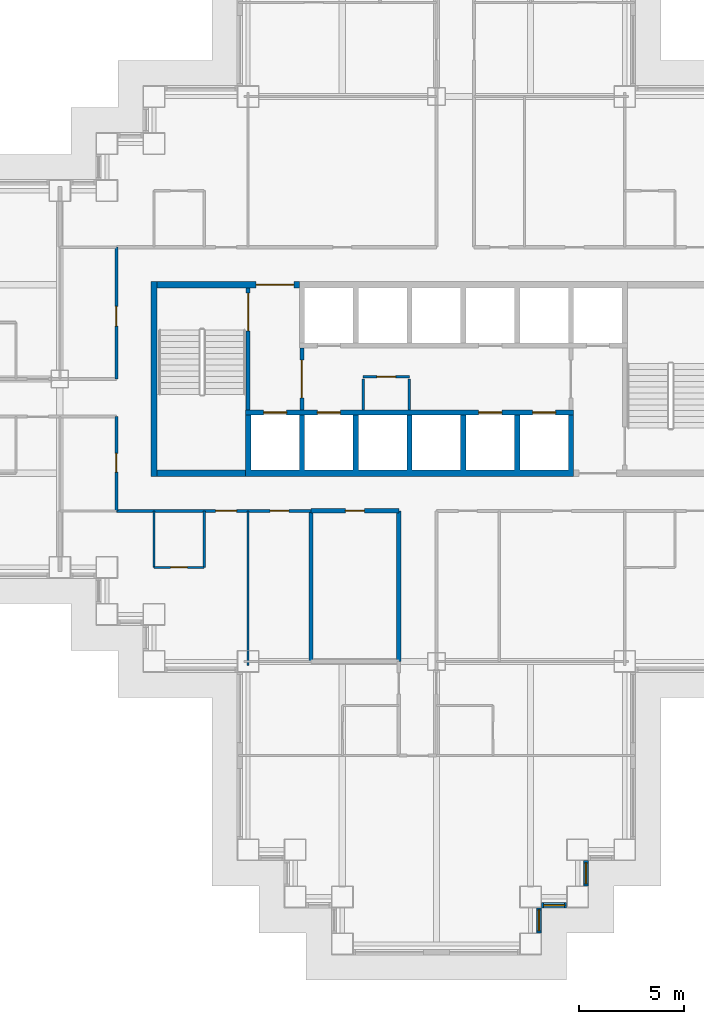
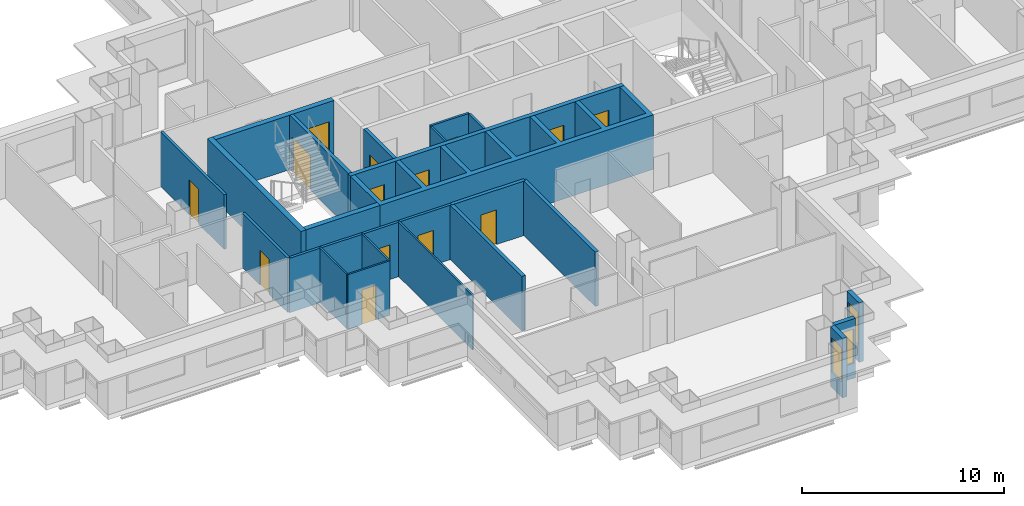
# One storey, part 4 of 14: 23 walls, 14 doors, 3 windows, 17 openings.
"""IFC4 building model written with IfcOpenShell, lengths in metres."""

import ifcopenshell
import ifcopenshell.guid

model = None  # the IFC model being written
_history = None  # IfcOwnerHistory: only IFC2X3 demands one
_inside = {}  # id of a spatial element -> (the spatial element, [elements in it])
_under = {}  # id of a project, library or spatial element -> (it, [spatial elements below it])
_declared = {}  # id of a project -> (the project, [libraries it declares])
_typed = {}  # id of a type object -> (the type object, [elements of that type])
_made_of = {}  # id of a material, layer set ... -> (it, [elements and type objects made of it])


def new_model(schema):
    """Start an empty IFC model of exactly this schema.

    Asked for "IFC4X3", IfcOpenShell would pick the latest addendum, in which some entities
    have other attributes; the version numbers below select the first issue.
    IFC2X3 requires an IfcOwnerHistory on every rooted entity: one is made here for all.
    """
    global model, _history
    if schema == "IFC4X3":
        model = ifcopenshell.file(schema_version=(4, 3, 0, 0))
    else:
        model = ifcopenshell.file(schema=schema)
    _inside.clear()
    _under.clear()
    _declared.clear()
    _typed.clear()
    _made_of.clear()
    _history = None
    if model.schema == "IFC2X3":
        org = make("IfcOrganization", Name="unknown")
        user = make(
            "IfcPersonAndOrganization",
            ThePerson=make("IfcPerson", FamilyName="unknown"),
            TheOrganization=org,
        )
        app = make(
            "IfcApplication",
            ApplicationDeveloper=org,
            Version="unknown",
            ApplicationFullName="unknown",
            ApplicationIdentifier="unknown",
        )
        _history = make(
            "IfcOwnerHistory",
            OwningUser=user,
            OwningApplication=app,
            ChangeAction="ADDED",
            CreationDate=0,
        )
    return model


def make(cls, **values):
    """One entity of the class cls with the attributes given. An attribute that is None is left unset."""
    return model.create_entity(
        cls, **{name: value for name, value in values.items() if value is not None}
    )


def rooted(cls, **values):
    """An entity with a GlobalId (a new one), such as an element, a storey or a relation."""
    return make(cls, GlobalId=ifcopenshell.guid.new(), OwnerHistory=_history, **values)


def si_unit(unit_type, name, prefix=None):
    """IfcSIUnit, for example si_unit("LENGTHUNIT", "METRE", prefix="MILLI")."""
    return make("IfcSIUnit", UnitType=unit_type, Prefix=prefix, Name=name)


def assignment(units):
    """IfcUnitAssignment: the units of a project."""
    return None if units is None else make("IfcUnitAssignment", Units=units)


def point(xyz):
    """IfcCartesianPoint."""
    return None if xyz is None else make("IfcCartesianPoint", Coordinates=xyz)


def direction(xyz):
    """IfcDirection."""
    return None if xyz is None else make("IfcDirection", DirectionRatios=xyz)


def frame(location, z_axis=None, x_axis=None):
    """IfcAxis2Placement3D, a coordinate frame: its origin and axes. An axis left out is left unset."""
    return make(
        "IfcAxis2Placement3D",
        Location=point(location),
        Axis=direction(z_axis),
        RefDirection=direction(x_axis),
    )


def frame_2d(location, x_axis=None):
    """IfcAxis2Placement2D, a coordinate frame in the plane: its origin and x axis."""
    return make(
        "IfcAxis2Placement2D", Location=point(location), RefDirection=direction(x_axis)
    )


def origin():
    """The frame at (0, 0, 0) with its axes left unset."""
    return frame((0.0, 0.0, 0.0))


def place(relative_to, where):
    """IfcLocalPlacement: puts the frame where relative to a parent placement (None: the world)."""
    return make(
        "IfcLocalPlacement", PlacementRelTo=relative_to, RelativePlacement=where
    )


def context(
    kind, dimensions, precision=None, world=None, true_north=None, identifier=None
):
    """IfcGeometricRepresentationContext, for example the 3D "Model" context."""
    return make(
        "IfcGeometricRepresentationContext",
        ContextIdentifier=identifier,
        ContextType=kind,
        CoordinateSpaceDimension=dimensions,
        Precision=precision,
        WorldCoordinateSystem=world,
        TrueNorth=true_north,
    )


def subcontext(parent, identifier, kind, view, scale=None):
    """IfcGeometricRepresentationSubContext, for example "Body" below "Model"."""
    return make(
        "IfcGeometricRepresentationSubContext",
        ContextIdentifier=identifier,
        ContextType=kind,
        ParentContext=parent,
        TargetScale=scale,
        TargetView=view,
    )


def project(units=None, contexts=None):
    """IfcProject with its units and contexts."""
    return rooted(
        "IfcProject",
        Name="project",
        RepresentationContexts=contexts,
        UnitsInContext=assignment(units),
    )


def spatial(cls, under=None, at=None, **own):
    """A site, building, storey or space (cls), placed at a placement, below another one or the project."""
    s = rooted(cls, ObjectPlacement=at, **own)
    if under is not None:
        _under.setdefault(under.id(), (under, []))[1].append(s)
    return s


def polyline(points):
    """IfcPolyline through the points."""
    return make("IfcPolyline", Points=[point(p) for p in points])


def profile(cls, at=None, kind="AREA", **sizes):
    """A parametric profile (cls). Its sizes go by their IFC names, for example OverallWidth=200.0."""
    return make(cls, ProfileType=kind, Position=at, **sizes)


def rectangle(**sizes):
    """IfcRectangleProfileDef."""
    return profile("IfcRectangleProfileDef", **sizes)


def outline(outer, holes=None, kind="AREA"):
    """IfcArbitraryClosedProfileDef: a profile drawn as a closed curve; with holes, ...WithVoids."""
    if holes is None:
        return make("IfcArbitraryClosedProfileDef", ProfileType=kind, OuterCurve=outer)
    return make(
        "IfcArbitraryProfileDefWithVoids",
        ProfileType=kind,
        OuterCurve=outer,
        InnerCurves=holes,
    )


def extrude(swept, where, along, depth):
    """IfcExtrudedAreaSolid: the profile swept, set in the frame where, extruded along a direction by depth."""
    return make(
        "IfcExtrudedAreaSolid",
        SweptArea=swept,
        Position=where,
        ExtrudedDirection=direction(along),
        Depth=depth,
    )


def shape(context_of_items, identifier, shape_type, items):
    """IfcShapeRepresentation: the items that make up one representation, for example the "Body"."""
    return make(
        "IfcShapeRepresentation",
        ContextOfItems=context_of_items,
        RepresentationIdentifier=identifier,
        RepresentationType=shape_type,
        Items=items,
    )


def material(Name=None, Category=None):
    """IfcMaterial."""
    return make("IfcMaterial", Name=Name, Category=Category)


def layer(
    of_material, thickness, ventilated=None, Name=None, Category=None, Priority=None
):
    """IfcMaterialLayer: one layer of a wall or slab, of a material (None: an air gap)."""
    return make(
        "IfcMaterialLayer",
        Material=of_material,
        LayerThickness=thickness,
        IsVentilated=ventilated,
        Name=Name,
        Category=Category,
        Priority=Priority,
    )


def layer_set(layers, Name=None):
    """IfcMaterialLayerSet."""
    return make("IfcMaterialLayerSet", MaterialLayers=layers, LayerSetName=Name)


def made_of(thing, what):
    """Note that an element or type object is made of a material, layer set ...; save() writes the relation."""
    if what is not None:
        _made_of.setdefault(what.id(), (what, []))[1].append(thing)
    return thing


def type_object(cls, material=None, **own):
    """A type object (cls), such as IfcWallType, which elements share."""
    return made_of(rooted(cls, **own), material)


def element(
    cls,
    number,
    at=None,
    inside=None,
    cuts=None,
    type_object=None,
    material=None,
    context=None,
    identifier="Body",
    shape_type=None,
    held_by="IfcProductDefinitionShape",
    body=None,
    shapes=None,
    **own,
):
    """One element of the class cls, such as IfcWall. Its Tag is "e" and its number.

    at: its placement. inside: the storey or other place that contains it. cuts: it is an
    opening in that element (IfcRelVoidsElement). A single representation is given by context,
    identifier, shape_type and body (its items); several are given by shapes. held_by: the class
    of the entity that holds the representations. save() writes the other relations.
    """
    e = rooted(cls, Tag="e%d" % number, ObjectPlacement=at, **own)
    if body is not None:
        shapes = [shape(context, identifier, shape_type, body)]
    if shapes is not None:
        e.Representation = make(held_by, Representations=shapes)
    if inside is not None:
        _inside.setdefault(inside.id(), (inside, []))[1].append(e)
    if cuts is not None:
        rooted(
            "IfcRelVoidsElement", RelatingBuildingElement=cuts, RelatedOpeningElement=e
        )
    if type_object is not None:
        _typed.setdefault(type_object.id(), (type_object, []))[1].append(e)
    return made_of(e, material)


def fill(opening, filler):
    """IfcRelFillsElement: the door or window that sits in an opening."""
    return rooted(
        "IfcRelFillsElement",
        RelatingOpeningElement=opening,
        RelatedBuildingElement=filler,
    )


def aggregate(whole, parts):
    """IfcRelAggregates: a whole, such as a stair, and the parts it consists of."""
    return rooted("IfcRelAggregates", RelatingObject=whole, RelatedObjects=parts)


def save(model, path):
    """Write the relations noted so far, then the file.

    IfcRelAggregates (storeys below a building ...), IfcRelContainedInSpatialStructure (elements
    in a storey), IfcRelDefinesByType, IfcRelAssociatesMaterial and IfcRelDeclares: one each for
    every whole, place, type object, material and project.
    """
    for whole, parts in _under.values():
        aggregate(whole, parts)
    for where, things in _inside.values():
        rooted(
            "IfcRelContainedInSpatialStructure",
            RelatedElements=things,
            RelatingStructure=where,
        )
    for kind, things in _typed.values():
        rooted("IfcRelDefinesByType", RelatedObjects=things, RelatingType=kind)
    for what, things in _made_of.values():
        rooted("IfcRelAssociatesMaterial", RelatedObjects=things, RelatingMaterial=what)
    for by, libraries in _declared.values():
        rooted("IfcRelDeclares", RelatingContext=by, RelatedDefinitions=libraries)
    model.write(path)


model = new_model("IFC4")

# Units and contexts
model_context = context("Model", 3, precision=1e-05, world=origin(), true_north=direction((0.0, 1.0)))
body_context = subcontext(model_context, "Body", "Model", "MODEL_VIEW")
ifc_project = project(units=[si_unit("LENGTHUNIT", "METRE"), si_unit("AREAUNIT", "SQUARE_METRE"), si_unit("VOLUMEUNIT", "CUBIC_METRE"), si_unit("PLANEANGLEUNIT", "RADIAN"), si_unit("MASSUNIT", "GRAM", prefix="KILO")], contexts=[model_context])

# Site, building, storey
site_placement = place(None, origin())
site = spatial("IfcSite", under=ifc_project, at=site_placement, CompositionType="ELEMENT")
building_placement = place(site_placement, origin())
building = spatial("IfcBuilding", under=site, at=building_placement, Name="Caravel Reach Hotel and Residences", CompositionType="ELEMENT")
storey_placement = place(building_placement, frame((0.0, 0.0, 37.199951171875)))
storey = spatial("IfcBuildingStorey", under=building, at=storey_placement, Name="L07", CompositionType="ELEMENT", Elevation=37.199951171875)

# Wall, opening, door
ifc_material_1 = material(Name="Gypsum board on steel stud", Category="steel")
ifc_layer_1 = layer(ifc_material_1, 0.10009765625)
ifc_layer_set_1 = layer_set([ifc_layer_1], Name="Bathroom pod wall 100 mm")
wall_type_1 = type_object("IfcWallType", Name="Bathroom pod wall 100 mm", PredefinedType="PARTITIONING", material=ifc_layer_set_1)
wall_1_placement = place(storey_placement, frame((18.0, 18.0, 0.0), z_axis=(0.0, 0.0, 1.0), x_axis=(1.0, 0.0, 0.0)))
wall_1 = element("IfcWall", 1, at=wall_1_placement, inside=storey, type_object=wall_type_1, Name="L07 wall w076", PredefinedType="PARTITIONING", context=body_context, shape_type="SweptSolid", body=[
    extrude(rectangle(XDim=2.39990234375, YDim=0.10009765625, at=frame_2d((1.199951171875, 0.0))), origin(), (0.0, 0.0, 1.0), 3.300048828125),
])
opening_1_placement = place(wall_1_placement, frame((0.800048828125, 0.0, 0.0)))
opening_1 = element("IfcOpeningElement", 2, at=opening_1_placement, cuts=wall_1, Name="Opening D07-046", PredefinedType="OPENING", context=body_context, shape_type="SweptSolid", body=[
    extrude(rectangle(XDim=0.800048828125, YDim=2.10009765625, at=frame_2d((0.39990234375, 1.050048828125))), frame((0.0, 0.06005859375, 0.0), z_axis=(0.0, -1.0, 0.0), x_axis=(1.0, 0.0, 0.0)), (0.0, 0.0, 1.0), 0.1201171875),
])
ifc_material_2 = material(Name="Timber and steel door leaf", Category="steel")
door_type_1 = type_object("IfcDoorType", Name="Bathroom door 800 x 2100", OperationType="SINGLE_SWING_LEFT", PredefinedType="DOOR", material=ifc_material_2)
door_1_placement = place(opening_1_placement, origin())
door_1 = element("IfcDoor", 3, at=door_1_placement, inside=storey, type_object=door_type_1, Name="door D07-046", OperationType="SINGLE_SWING_LEFT", OverallHeight=2.10009765625, OverallWidth=0.800048828125, PredefinedType="DOOR", context=body_context, shape_type="SweptSolid", body=[
    extrude(rectangle(XDim=0.800048828125, YDim=2.10009765625, at=frame_2d((0.39990234375, 1.050048828125))), frame((0.0, 0.02490234375, 0.0), z_axis=(0.0, -1.0, 0.0), x_axis=(1.0, 0.0, 0.0)), (0.0, 0.0, 1.0), 0.050048828125),
])
fill(opening_1, door_1)

# Walls
for number, where, z_axis, x_axis, name in (
    (4, (18.0, 18.0, 0.0), (0.0, 0.0, 1.0), (0.0, 1.0, 0.0), "L07 wall w092"),
    (5, (20.39990234375, 18.0, 0.0), (0.0, 0.0, 1.0), (0.0, 1.0, 0.0), "L07 wall w094"),
):
    element("IfcWall", number, at=place(storey_placement, frame(where, z_axis=z_axis, x_axis=x_axis)), inside=storey, type_object=wall_type_1, Name=name, PredefinedType="PARTITIONING", context=body_context, shape_type="SweptSolid", body=[
        extrude(rectangle(XDim=2.699951171875, YDim=0.10009765625, at=frame_2d((1.35009765625, 0.0))), origin(), (0.0, 0.0, 1.0), 3.300048828125),
    ])

# Wall, opening, door
ifc_material_3 = material(Name="Autoclaved aerated block wall")
ifc_layer_2 = layer(ifc_material_3, 0.199951171875)
ifc_layer_set_2 = layer_set([ifc_layer_2], Name="Compartment wall 200 mm EI 120")
wall_type_2 = type_object("IfcWallType", Name="Compartment wall 200 mm EI 120", PredefinedType="PARTITIONING", material=ifc_layer_set_2)
wall_2_placement = place(storey_placement, frame((25.5, 20.699951171875, 0.0), z_axis=(0.0, 0.0, 1.0), x_axis=(1.0, 0.0, 0.0)))
wall_2 = element("IfcWall", 6, at=wall_2_placement, inside=storey, type_object=wall_type_2, Name="L07 wall w106", PredefinedType="PARTITIONING", context=body_context, shape_type="SweptSolid", body=[
    extrude(rectangle(XDim=4.199951171875, YDim=0.199951171875, at=frame_2d((2.10009765625, 0.0))), origin(), (0.0, 0.0, 1.0), 3.300048828125),
])
opening_2_placement = place(wall_2_placement, frame((1.64990234375, 0.0, 0.0)))
opening_2 = element("IfcOpeningElement", 7, at=opening_2_placement, cuts=wall_2, Name="Opening D07-053", PredefinedType="OPENING", context=body_context, shape_type="SweptSolid", body=[
    extrude(rectangle(XDim=0.89990234375, YDim=2.10009765625, at=frame_2d((0.449951171875, 1.050048828125))), frame((0.0, 0.10986328125, 0.0), z_axis=(0.0, -1.0, 0.0), x_axis=(1.0, 0.0, 0.0)), (0.0, 0.0, 1.0), 0.219970703125),
])
ifc_material_4 = material(Name="Steel fire door leaf", Category="steel")
door_type_2 = type_object("IfcDoorType", Name="Riser door 900 x 2100 EI 60", OperationType="SINGLE_SWING_LEFT", PredefinedType="DOOR", material=ifc_material_4)
door_2_placement = place(opening_2_placement, origin())
door_2 = element("IfcDoor", 8, at=door_2_placement, inside=storey, type_object=door_type_2, Name="door D07-053", OperationType="SINGLE_SWING_LEFT", OverallHeight=2.10009765625, OverallWidth=0.89990234375, PredefinedType="DOOR", context=body_context, shape_type="SweptSolid", body=[
    extrude(rectangle(XDim=0.89990234375, YDim=2.10009765625, at=frame_2d((0.449951171875, 1.050048828125))), frame((0.0, 0.02490234375, 0.0), z_axis=(0.0, -1.0, 0.0), x_axis=(1.0, 0.0, 0.0)), (0.0, 0.0, 1.0), 0.050048828125),
])
fill(opening_2, door_2)

# Walls
for number, where, z_axis, x_axis, name in (
    (9, (25.5, 13.5, 0.0), (0.0, 0.0, 1.0), (0.0, 1.0, 0.0), "L07 wall w107"),
    (10, (29.699951171875, 13.5, 0.0), (0.0, 0.0, 1.0), (0.0, 1.0, 0.0), "L07 wall w108"),
):
    element("IfcWall", number, at=place(storey_placement, frame(where, z_axis=z_axis, x_axis=x_axis)), inside=storey, type_object=wall_type_2, Name=name, PredefinedType="PARTITIONING", context=body_context, shape_type="SweptSolid", body=[
        extrude(rectangle(XDim=7.199951171875, YDim=0.199951171875, at=frame_2d((3.60009765625, 0.0))), origin(), (0.0, 0.0, 1.0), 3.300048828125),
    ])
ifc_material_5 = material(Name="Concrete C60", Category="concrete")
ifc_layer_3 = layer(ifc_material_5, 0.300048828125)
ifc_layer_set_3 = layer_set([ifc_layer_3], Name="Core wall 300 mm EI 120")
wall_type_3 = type_object("IfcWallType", Name="Core wall 300 mm EI 120", PredefinedType="SHEAR", material=ifc_layer_set_3)
wall_3_placement = place(storey_placement, frame((18.14990234375, 22.5, 0.0), z_axis=(0.0, 0.0, 1.0), x_axis=(1.0, 0.0, 0.0)))
element("IfcWall", 11, at=wall_3_placement, inside=storey, type_object=wall_type_3, Name="L07 core wall S1", PredefinedType="SHEAR", context=body_context, shape_type="SweptSolid", body=[
    extrude(rectangle(XDim=4.22509765625, YDim=0.300048828125, at=frame_2d((2.112548828125, 0.0))), origin(), (0.0, 0.0, 1.0), 3.300048828125),
])

# Wall, opening, door
wall_4_placement = place(storey_placement, frame((18.14990234375, 31.5, 0.0), z_axis=(0.0, 0.0, 1.0), x_axis=(1.0, 0.0, 0.0)))
wall_4 = element("IfcWall", 12, at=wall_4_placement, inside=storey, type_object=wall_type_3, Name="L07 core wall N1", PredefinedType="SHEAR", context=body_context, shape_type="SweptSolid", body=[
    extrude(rectangle(XDim=6.796630859375, YDim=0.300048828125, at=frame_2d((3.3984375, 0.0))), origin(), (0.0, 0.0, 1.0), 3.300048828125),
])
opening_3_placement = place(wall_4_placement, frame((4.735595703125, 0.0, 0.0)))
opening_3 = element("IfcOpeningElement", 13, at=opening_3_placement, cuts=wall_4, Name="Opening D07-013", PredefinedType="OPENING", context=body_context, shape_type="SweptSolid", body=[
    extrude(rectangle(XDim=1.800048828125, YDim=2.10009765625, at=frame_2d((0.89990234375, 1.050048828125))), frame((0.0, 0.159912109375, 0.0), z_axis=(0.0, -1.0, 0.0), x_axis=(1.0, 0.0, 0.0)), (0.0, 0.0, 1.0), 0.320068359375),
])
ifc_material_6 = material(Name="Steel fire door leaf", Category="steel")
door_type_3 = type_object("IfcDoorType", Name="Fire lobby door pair 1800 x 2100 EI 90", OperationType="DOUBLE_DOOR_SINGLE_SWING", PredefinedType="DOOR", material=ifc_material_6)
door_3_placement = place(opening_3_placement, origin())
door_3 = element("IfcDoor", 14, at=door_3_placement, inside=storey, type_object=door_type_3, Name="lobby N door pair to corridor", OperationType="DOUBLE_DOOR_SINGLE_SWING", OverallHeight=2.10009765625, OverallWidth=1.800048828125, PredefinedType="DOOR", context=body_context, shape_type="SweptSolid", body=[
    extrude(rectangle(XDim=1.800048828125, YDim=2.10009765625, at=frame_2d((0.89990234375, 1.050048828125))), frame((0.0, 0.02490234375, 0.0), z_axis=(0.0, -1.0, 0.0), x_axis=(1.0, 0.0, 0.0)), (0.0, 0.0, 1.0), 0.050048828125),
])
fill(opening_3, door_3)

# Wall
wall_5_placement = place(storey_placement, frame((18.0, 22.35009765625, 0.0), z_axis=(0.0, 0.0, 1.0), x_axis=(0.0, 1.0, 0.0)))
element("IfcWall", 15, at=wall_5_placement, inside=storey, type_object=wall_type_3, Name="L07 core wall W", PredefinedType="SHEAR", context=body_context, shape_type="SweptSolid", body=[
    extrude(rectangle(XDim=9.2998046875, YDim=0.300048828125, at=frame_2d((4.64990234375, 0.0))), origin(), (0.0, 0.0, 1.0), 3.300048828125),
])

# Wall, openings, doors
ifc_material_7 = material(Name="Gypsum board on steel stud, fire-rated", Category="steel")
ifc_layer_4 = layer(ifc_material_7, 0.14990234375)
ifc_layer_set_4 = layer_set([ifc_layer_4], Name="Corridor wall 150 mm EI 60")
wall_type_4 = type_object("IfcWallType", Name="Corridor wall 150 mm EI 60", PredefinedType="PARTITIONING", material=ifc_layer_set_4)
wall_6_placement = place(storey_placement, frame((16.199951171875, 20.699951171875, 0.0), z_axis=(0.0, 0.0, 1.0), x_axis=(1.0, 0.0, 0.0)))
wall_6 = element("IfcWall", 16, at=wall_6_placement, inside=storey, type_object=wall_type_4, Name="L07 wall w001", PredefinedType="PARTITIONING", context=body_context, shape_type="SweptSolid", body=[
    extrude(rectangle(XDim=9.300048828125, YDim=0.14990234375, at=frame_2d((4.64990234375, 0.0))), origin(), (0.0, 0.0, 1.0), 3.300048828125),
])
opening_4_placement = place(wall_6_placement, frame((4.75, 0.0, 0.0)))
opening_4 = element("IfcOpeningElement", 17, at=opening_4_placement, cuts=wall_6, Name="Opening D07-045", PredefinedType="OPENING", context=body_context, shape_type="SweptSolid", body=[
    extrude(rectangle(XDim=1.0, YDim=2.10009765625, at=frame_2d((0.5, 1.050048828125))), frame((0.0, 0.0849609375, 0.0), z_axis=(0.0, -1.0, 0.0), x_axis=(1.0, 0.0, 0.0)), (0.0, 0.0, 1.0), 0.169921875),
])
opening_5_placement = place(wall_6_placement, frame((7.35009765625, 0.0, 0.0)))
opening_5 = element("IfcOpeningElement", 18, at=opening_5_placement, cuts=wall_6, Name="Opening D07-052", PredefinedType="OPENING", context=body_context, shape_type="SweptSolid", body=[
    extrude(rectangle(XDim=0.89990234375, YDim=2.10009765625, at=frame_2d((0.449951171875, 1.050048828125))), frame((0.0, 0.0849609375, 0.0), z_axis=(0.0, -1.0, 0.0), x_axis=(1.0, 0.0, 0.0)), (0.0, 0.0, 1.0), 0.169921875),
])
ifc_material_8 = material(Name="Timber and steel door leaf", Category="steel")
door_type_4 = type_object("IfcDoorType", Name="Door 900 x 2100 timber", OperationType="SINGLE_SWING_LEFT", PredefinedType="DOOR", material=ifc_material_8)
door_4_placement = place(opening_5_placement, origin())
door_4 = element("IfcDoor", 19, at=door_4_placement, inside=storey, type_object=door_type_4, Name="door D07-052", OperationType="SINGLE_SWING_RIGHT", OverallHeight=2.10009765625, OverallWidth=0.89990234375, PredefinedType="DOOR", context=body_context, shape_type="SweptSolid", body=[
    extrude(rectangle(XDim=0.89990234375, YDim=2.10009765625, at=frame_2d((0.449951171875, 1.050048828125))), frame((0.0, 0.02490234375, 0.0), z_axis=(0.0, -1.0, 0.0), x_axis=(1.0, 0.0, 0.0)), (0.0, 0.0, 1.0), 0.050048828125),
])
fill(opening_5, door_4)
ifc_material_9 = material(Name="Steel fire door leaf", Category="steel")
door_type_5 = type_object("IfcDoorType", Name="Guest room door 1000 x 2100 EI 30", OperationType="SINGLE_SWING_LEFT", PredefinedType="DOOR", material=ifc_material_9)
door_5_placement = place(opening_4_placement, origin())
door_5 = element("IfcDoor", 20, at=door_5_placement, inside=storey, type_object=door_type_5, Name="door D07-045", OperationType="SINGLE_SWING_RIGHT", OverallHeight=2.10009765625, OverallWidth=1.0, PredefinedType="DOOR", context=body_context, shape_type="SweptSolid", body=[
    extrude(rectangle(XDim=1.0, YDim=2.10009765625, at=frame_2d((0.5, 1.050048828125))), frame((0.0, 0.02490234375, 0.0), z_axis=(0.0, -1.0, 0.0), x_axis=(1.0, 0.0, 0.0)), (0.0, 0.0, 1.0), 0.050048828125),
])
fill(opening_4, door_5)

# Wall, opening, door
wall_7_placement = place(storey_placement, frame((16.199951171875, 27.0, 0.0), z_axis=(0.0, 0.0, 1.0), x_axis=(0.0, 1.0, 0.0)))
wall_7 = element("IfcWall", 21, at=wall_7_placement, inside=storey, type_object=wall_type_4, Name="L07 wall w023", PredefinedType="PARTITIONING", context=body_context, shape_type="SweptSolid", body=[
    extrude(rectangle(XDim=6.300048828125, YDim=0.14990234375, at=frame_2d((3.14990234375, 0.0))), origin(), (0.0, 0.0, 1.0), 3.300048828125),
])
opening_6_placement = place(wall_7_placement, frame((2.52490234375, 0.0, 0.0)))
opening_6 = element("IfcOpeningElement", 22, at=opening_6_placement, cuts=wall_7, Name="Opening D07-057", PredefinedType="OPENING", context=body_context, shape_type="SweptSolid", body=[
    extrude(rectangle(XDim=0.949951171875, YDim=2.10009765625, at=frame_2d((0.47509765625, 1.050048828125))), frame((0.0, 0.0849609375, 0.0), z_axis=(0.0, -1.0, 0.0), x_axis=(1.0, 0.0, 0.0)), (0.0, 0.0, 1.0), 0.169921875),
])
ifc_material_10 = material(Name="Timber and steel door leaf", Category="steel")
door_type_6 = type_object("IfcDoorType", Name="Accessible WC door 950 x 2100", OperationType="SINGLE_SWING_LEFT", PredefinedType="DOOR", material=ifc_material_10)
door_6_placement = place(opening_6_placement, origin())
door_6 = element("IfcDoor", 23, at=door_6_placement, inside=storey, type_object=door_type_6, Name="door D07-057", OperationType="SINGLE_SWING_LEFT", OverallHeight=2.10009765625, OverallWidth=0.949951171875, PredefinedType="DOOR", context=body_context, shape_type="SweptSolid", body=[
    extrude(rectangle(XDim=0.949951171875, YDim=2.10009765625, at=frame_2d((0.47509765625, 1.050048828125))), frame((0.0, 0.02490234375, 0.0), z_axis=(0.0, -1.0, 0.0), x_axis=(1.0, 0.0, 0.0)), (0.0, 0.0, 1.0), 0.050048828125),
])
fill(opening_6, door_6)

wall_8_placement = place(storey_placement, frame((16.199951171875, 20.699951171875, 0.0), z_axis=(0.0, 0.0, 1.0), x_axis=(0.0, 1.0, 0.0)))
wall_8 = element("IfcWall", 24, at=wall_8_placement, inside=storey, type_object=wall_type_4, Name="L07 wall w024", PredefinedType="PARTITIONING", context=body_context, shape_type="SweptSolid", body=[
    extrude(rectangle(XDim=4.5, YDim=0.14990234375, at=frame_2d((2.25, 0.0))), origin(), (0.0, 0.0, 1.0), 3.300048828125),
])
opening_7_placement = place(wall_8_placement, frame((1.85009765625, 0.0, 0.0)))
opening_7 = element("IfcOpeningElement", 25, at=opening_7_placement, cuts=wall_8, Name="Opening D07-056", PredefinedType="OPENING", context=body_context, shape_type="SweptSolid", body=[
    extrude(rectangle(XDim=0.89990234375, YDim=2.10009765625, at=frame_2d((0.449951171875, 1.050048828125))), frame((0.0, 0.0849609375, 0.0), z_axis=(0.0, -1.0, 0.0), x_axis=(1.0, 0.0, 0.0)), (0.0, 0.0, 1.0), 0.169921875),
])
door_7_placement = place(opening_7_placement, origin())
door_7 = element("IfcDoor", 26, at=door_7_placement, inside=storey, type_object=door_type_4, Name="door D07-056", OperationType="SINGLE_SWING_RIGHT", OverallHeight=2.10009765625, OverallWidth=0.89990234375, PredefinedType="DOOR", context=body_context, shape_type="SweptSolid", body=[
    extrude(rectangle(XDim=0.89990234375, YDim=2.10009765625, at=frame_2d((0.449951171875, 1.050048828125))), frame((0.0, 0.02490234375, 0.0), z_axis=(0.0, -1.0, 0.0), x_axis=(1.0, 0.0, 0.0)), (0.0, 0.0, 1.0), 0.050048828125),
])
fill(opening_7, door_7)

# Wall, opening, window
ifc_material_11 = material(Name="Insulated rainscreen wall, aluminium cladding", Category="aluminium")
ifc_layer_5 = layer(ifc_material_11, 0.25)
ifc_layer_set_5 = layer_set([ifc_layer_5], Name="EW1 Tower rainscreen wall")
wall_type_5 = type_object("IfcWallType", Name="EW1 Tower rainscreen wall", PredefinedType="SOLIDWALL", material=ifc_layer_set_5)
wall_9_placement = place(storey_placement, frame((36.39990234375, 0.52490234375, 0.0), z_axis=(0.0, 0.0, 1.0), x_axis=(0.0, 1.0, 0.0)))
wall_9 = element("IfcWall", 27, at=wall_9_placement, inside=storey, type_object=wall_type_5, Name="External wall L07 E6.1", PredefinedType="SOLIDWALL", context=body_context, shape_type="SweptSolid", body=[
    extrude(rectangle(XDim=1.2001953125, YDim=0.25, at=frame_2d((0.60009765625, 0.0))), origin(), (0.0, 0.0, 1.0), 3.60009765625),
])
opening_8_placement = place(wall_9_placement, frame((0.10009765625, 0.0, 0.89990234375)))
opening_8 = element("IfcOpeningElement", 28, at=opening_8_placement, cuts=wall_9, Name="Opening WN1", PredefinedType="OPENING", context=body_context, shape_type="SweptSolid", body=[
    extrude(rectangle(XDim=1.0, YDim=2.080078125, at=frame_2d((0.5, 1.0400390625))), frame((0.0, 0.135009765625, 0.0), z_axis=(0.0, -1.0, 0.0), x_axis=(1.0, 0.0, 0.0)), (0.0, 0.0, 1.0), 0.27001953125),
])
ifc_material_12 = material(Name="Dark low-e glazing in black aluminium frame", Category="aluminium")
window_type = type_object("IfcWindowType", Name="Hotel suite corner window 1000 x 2080", PartitioningType="SINGLE_PANEL", PredefinedType="WINDOW", material=ifc_material_12)
window_1_placement = place(opening_8_placement, origin())
window_1 = element("IfcWindow", 29, at=window_1_placement, inside=storey, type_object=window_type, Name="Window L07 E6.1.1", OverallHeight=2.080078125, OverallWidth=1.0, PartitioningType="SINGLE_PANEL", PredefinedType="WINDOW", context=body_context, shape_type="SweptSolid", body=[
    extrude(rectangle(XDim=1.0, YDim=2.080078125, at=frame_2d((0.5, 1.0400390625))), frame((0.0, 0.030029296875, 0.0), z_axis=(0.0, -1.0, 0.0), x_axis=(1.0, 0.0, 0.0)), (0.0, 0.0, 1.0), 0.06005859375),
])
fill(opening_8, window_1)

wall_10_placement = place(storey_placement, frame((36.52490234375, 1.85009765625, 0.0), z_axis=(0.0, 0.0, 1.0), x_axis=(1.0, 0.0, 0.0)))
wall_10 = element("IfcWall", 30, at=wall_10_placement, inside=storey, type_object=wall_type_5, Name="External wall L07 S7.1", PredefinedType="SOLIDWALL", context=body_context, shape_type="SweptSolid", body=[
    extrude(rectangle(XDim=1.2001953125, YDim=0.25, at=frame_2d((0.60009765625, 0.0))), origin(), (0.0, 0.0, 1.0), 3.60009765625),
])
opening_9_placement = place(wall_10_placement, frame((0.10009765625, 0.0, 0.89990234375)))
opening_9 = element("IfcOpeningElement", 31, at=opening_9_placement, cuts=wall_10, Name="Opening WN1", PredefinedType="OPENING", context=body_context, shape_type="SweptSolid", body=[
    extrude(rectangle(XDim=1.0, YDim=2.080078125, at=frame_2d((0.5, 1.0400390625))), frame((0.0, 0.135009765625, 0.0), z_axis=(0.0, -1.0, 0.0), x_axis=(1.0, 0.0, 0.0)), (0.0, 0.0, 1.0), 0.27001953125),
])
window_2_placement = place(opening_9_placement, origin())
window_2 = element("IfcWindow", 32, at=window_2_placement, inside=storey, type_object=window_type, Name="Window L07 S7.1.1", OverallHeight=2.080078125, OverallWidth=1.0, PartitioningType="SINGLE_PANEL", PredefinedType="WINDOW", context=body_context, shape_type="SweptSolid", body=[
    extrude(rectangle(XDim=1.0, YDim=2.080078125, at=frame_2d((0.5, 1.0400390625))), frame((0.0, 0.030029296875, 0.0), z_axis=(0.0, -1.0, 0.0), x_axis=(1.0, 0.0, 0.0)), (0.0, 0.0, 1.0), 0.06005859375),
])
fill(opening_9, window_2)

wall_11_placement = place(storey_placement, frame((38.64990234375, 2.77490234375, 0.0), z_axis=(0.0, 0.0, 1.0), x_axis=(0.0, 1.0, 0.0)))
wall_11 = element("IfcWall", 33, at=wall_11_placement, inside=storey, type_object=wall_type_5, Name="External wall L07 E8.1", PredefinedType="SOLIDWALL", context=body_context, shape_type="SweptSolid", body=[
    extrude(rectangle(XDim=1.2001953125, YDim=0.25, at=frame_2d((0.60009765625, 0.0))), origin(), (0.0, 0.0, 1.0), 3.60009765625),
])
opening_10_placement = place(wall_11_placement, frame((0.10009765625, 0.0, 0.89990234375)))
opening_10 = element("IfcOpeningElement", 34, at=opening_10_placement, cuts=wall_11, Name="Opening WN1", PredefinedType="OPENING", context=body_context, shape_type="SweptSolid", body=[
    extrude(rectangle(XDim=1.0, YDim=2.080078125, at=frame_2d((0.5, 1.0400390625))), frame((0.0, 0.135009765625, 0.0), z_axis=(0.0, -1.0, 0.0), x_axis=(1.0, 0.0, 0.0)), (0.0, 0.0, 1.0), 0.27001953125),
])
window_3_placement = place(opening_10_placement, origin())
window_3 = element("IfcWindow", 35, at=window_3_placement, inside=storey, type_object=window_type, Name="Window L07 E8.1.1", OverallHeight=2.080078125, OverallWidth=1.0, PartitioningType="SINGLE_PANEL", PredefinedType="WINDOW", context=body_context, shape_type="SweptSolid", body=[
    extrude(rectangle(XDim=1.0, YDim=2.080078125, at=frame_2d((0.5, 1.0400390625))), frame((0.0, 0.030029296875, 0.0), z_axis=(0.0, -1.0, 0.0), x_axis=(1.0, 0.0, 0.0)), (0.0, 0.0, 1.0), 0.06005859375),
])
fill(opening_10, window_3)

# Wall, opening, door
ifc_material_13 = material(Name="Autoclaved aerated block wall")
ifc_layer_6 = layer(ifc_material_13, 0.199951171875)
ifc_layer_set_6 = layer_set([ifc_layer_6], Name="Fire lobby wall 200 mm EI 120")
wall_type_6 = type_object("IfcWallType", Name="Fire lobby wall 200 mm EI 120", PredefinedType="PARTITIONING", material=ifc_layer_set_6)
wall_12_placement = place(storey_placement, frame((25.071533203125, 25.52490234375, 0.0), z_axis=(0.0, 0.0, 1.0), x_axis=(0.0, 1.0, 0.0)))
wall_12 = element("IfcWall", 36, at=wall_12_placement, inside=storey, type_object=wall_type_6, Name="L07 lobby W wall", PredefinedType="PARTITIONING", context=body_context, shape_type="SweptSolid", body=[
    extrude(rectangle(XDim=2.9501953125, YDim=0.199951171875, at=frame_2d((1.47509765625, 0.0))), origin(), (0.0, 0.0, 1.0), 3.300048828125),
])
opening_11_placement = place(wall_12_placement, frame((0.574951171875, 0.0, 0.0)))
opening_11 = element("IfcOpeningElement", 37, at=opening_11_placement, cuts=wall_12, Name="Opening D07-011", PredefinedType="OPENING", context=body_context, shape_type="SweptSolid", body=[
    extrude(rectangle(XDim=1.800048828125, YDim=2.10009765625, at=frame_2d((0.89990234375, 1.050048828125))), frame((0.0, 0.10986328125, 0.0), z_axis=(0.0, -1.0, 0.0), x_axis=(1.0, 0.0, 0.0)), (0.0, 0.0, 1.0), 0.219970703125),
])
door_8_placement = place(opening_11_placement, origin())
door_8 = element("IfcDoor", 38, at=door_8_placement, inside=storey, type_object=door_type_3, Name="lobby W door pair", OperationType="DOUBLE_DOOR_SINGLE_SWING", OverallHeight=2.10009765625, OverallWidth=1.800048828125, PredefinedType="DOOR", context=body_context, shape_type="SweptSolid", body=[
    extrude(rectangle(XDim=1.800048828125, YDim=2.10009765625, at=frame_2d((0.89990234375, 1.050048828125))), frame((0.0, 0.02490234375, 0.0), z_axis=(0.0, -1.0, 0.0), x_axis=(1.0, 0.0, 0.0)), (0.0, 0.0, 1.0), 0.050048828125),
])
fill(opening_11, door_8)

# Wall
ifc_material_14 = material(Name="Gypsum board on steel stud", Category="steel")
ifc_layer_7 = layer(ifc_material_14, 0.10009765625)
ifc_layer_set_7 = layer_set([ifc_layer_7], Name="Partition 100 mm")
wall_type_7 = type_object("IfcWallType", Name="Partition 100 mm", PredefinedType="PARTITIONING", material=ifc_layer_set_7)
wall_13_placement = place(storey_placement, frame((22.5, 13.31005859375, 0.0), z_axis=(0.0, 0.0, 1.0), x_axis=(0.0, 1.0, 0.0)))
element("IfcWall", 39, at=wall_13_placement, inside=storey, type_object=wall_type_7, Name="L07 wall w057", PredefinedType="PARTITIONING", context=body_context, shape_type="SweptSolid", body=[
    extrude(rectangle(XDim=7.389892578125, YDim=0.10009765625, at=frame_2d((3.69482421875, 0.0))), origin(), (0.0, 0.0, 1.0), 3.300048828125),
])

# Wall, opening, door
ifc_material_15 = material(Name="Autoclaved aerated block wall")
ifc_layer_8 = layer(ifc_material_15, 0.125)
ifc_layer_set_8 = layer_set([ifc_layer_8], Name="Riser wall 125 mm EI 60")
wall_type_8 = type_object("IfcWallType", Name="Riser wall 125 mm EI 60", PredefinedType="PARTITIONING", material=ifc_layer_set_8)
wall_14_placement = place(storey_placement, frame((28.0, 27.10009765625, 0.0), z_axis=(0.0, 0.0, 1.0), x_axis=(1.0, 0.0, 0.0)))
wall_14 = element("IfcWall", 40, at=wall_14_placement, inside=storey, type_object=wall_type_8, Name="L07 service room wall S1", PredefinedType="PARTITIONING", context=body_context, shape_type="SweptSolid", body=[
    extrude(rectangle(XDim=2.199951171875, YDim=0.125, at=frame_2d((1.10009765625, 0.0))), origin(), (0.0, 0.0, 1.0), 3.300048828125),
])
opening_12_placement = place(wall_14_placement, frame((0.64990234375, 0.0, 0.0)))
opening_12 = element("IfcOpeningElement", 41, at=opening_12_placement, cuts=wall_14, Name="Opening D07-008", PredefinedType="OPENING", context=body_context, shape_type="SweptSolid", body=[
    extrude(rectangle(XDim=0.89990234375, YDim=2.10009765625, at=frame_2d((0.449951171875, 1.050048828125))), frame((0.0, 0.072509765625, 0.0), z_axis=(0.0, -1.0, 0.0), x_axis=(1.0, 0.0, 0.0)), (0.0, 0.0, 1.0), 0.14501953125),
])
door_9_placement = place(opening_12_placement, origin())
door_9 = element("IfcDoor", 42, at=door_9_placement, inside=storey, type_object=door_type_2, Name="Housekeeping room door", OperationType="SINGLE_SWING_LEFT", OverallHeight=2.10009765625, OverallWidth=0.89990234375, PredefinedType="DOOR", context=body_context, shape_type="SweptSolid", body=[
    extrude(rectangle(XDim=0.89990234375, YDim=2.10009765625, at=frame_2d((0.449951171875, 1.050048828125))), frame((0.0, 0.02490234375, 0.0), z_axis=(0.0, -1.0, 0.0), x_axis=(1.0, 0.0, 0.0)), (0.0, 0.0, 1.0), 0.050048828125),
])
fill(opening_12, door_9)

# Walls
for number, where, z_axis, x_axis, name in (
    (43, (28.0, 25.52490234375, 0.0), (0.0, 0.0, 1.0), (0.0, 1.0, 0.0), "L07 service room partition S1"),
    (44, (30.199951171875, 25.52490234375, 0.0), (0.0, 0.0, 1.0), (0.0, 1.0, 0.0), "L07 service room partition S1"),
):
    element("IfcWall", number, at=place(storey_placement, frame(where, z_axis=z_axis, x_axis=x_axis)), inside=storey, type_object=wall_type_8, Name=name, PredefinedType="PARTITIONING", context=body_context, shape_type="SweptSolid", body=[
        extrude(rectangle(XDim=1.47509765625, YDim=0.125, at=frame_2d((0.737548828125, 0.0))), origin(), (0.0, 0.0, 1.0), 3.300048828125),
    ])
ifc_material_16 = material(Name="Concrete C60", Category="concrete")
ifc_layer_9 = layer(ifc_material_16, 0.25)
ifc_layer_set_9 = layer_set([ifc_layer_9], Name="Shaft wall 250 mm EI 120")
wall_type_9 = type_object("IfcWallType", Name="Shaft wall 250 mm EI 120", PredefinedType="SHEAR", material=ifc_layer_set_9)
wall_15_placement = place(storey_placement, origin())
element("IfcWall", 45, at=wall_15_placement, inside=storey, type_object=wall_type_9, Name="L07 lift shaft wall S1", PredefinedType="SHEAR", context=body_context, shape_type="SweptSolid", body=[
    extrude(outline(polyline([(22.375, 22.35009765625), (38.053466796875, 22.35009765625), (38.053466796875, 25.27490234375), (37.803466796875, 25.27490234375), (37.803466796875, 22.64990234375), (35.482177734375, 22.64990234375), (35.482177734375, 25.27490234375), (35.232177734375, 25.27490234375), (35.232177734375, 22.64990234375), (32.91064453125, 22.64990234375), (32.91064453125, 25.27490234375), (32.66064453125, 25.27490234375), (32.66064453125, 22.64990234375), (30.33935546875, 22.64990234375), (30.33935546875, 25.27490234375), (30.08935546875, 25.27490234375), (30.08935546875, 22.64990234375), (27.767822265625, 22.64990234375), (27.767822265625, 25.27490234375), (27.517822265625, 25.27490234375), (27.517822265625, 22.64990234375), (25.196533203125, 22.64990234375), (25.196533203125, 25.27490234375), (24.946533203125, 25.27490234375), (24.946533203125, 22.64990234375), (22.625, 22.64990234375), (22.625, 25.27490234375), (22.375, 25.27490234375), (22.375, 22.35009765625)])), origin(), (0.0, 0.0, 1.0), 3.300048828125),
])

# Wall, openings, doors
wall_16_placement = place(storey_placement, frame((22.375, 25.39990234375, 0.0), z_axis=(0.0, 0.0, 1.0), x_axis=(1.0, 0.0, 0.0)))
wall_16 = element("IfcWall", 46, at=wall_16_placement, inside=storey, type_object=wall_type_9, Name="L07 lobby wall S1", PredefinedType="SHEAR", context=body_context, shape_type="SweptSolid", body=[
    extrude(rectangle(XDim=15.678466796875, YDim=0.25, at=frame_2d((7.83935546875, 0.0))), origin(), (0.0, 0.0, 1.0), 3.300048828125),
])
opening_13_placement = place(wall_16_placement, frame((3.43212890625, 0.0, 0.0)))
opening_13 = element("IfcOpeningElement", 47, at=opening_13_placement, cuts=wall_16, Name="Opening D07-001", PredefinedType="OPENING", context=body_context, shape_type="SweptSolid", body=[
    extrude(rectangle(XDim=1.10009765625, YDim=2.10009765625, at=frame_2d((0.550048828125, 1.050048828125))), frame((0.0, 0.135009765625, 0.0), z_axis=(0.0, -1.0, 0.0), x_axis=(1.0, 0.0, 0.0)), (0.0, 0.0, 1.0), 0.27001953125),
])
opening_14_placement = place(wall_16_placement, frame((11.146484375, 0.0, 0.0)))
opening_14 = element("IfcOpeningElement", 48, at=opening_14_placement, cuts=wall_16, Name="Opening D07-002", PredefinedType="OPENING", context=body_context, shape_type="SweptSolid", body=[
    extrude(rectangle(XDim=1.10009765625, YDim=2.10009765625, at=frame_2d((0.550048828125, 1.050048828125))), frame((0.0, 0.135009765625, 0.0), z_axis=(0.0, -1.0, 0.0), x_axis=(1.0, 0.0, 0.0)), (0.0, 0.0, 1.0), 0.27001953125),
])
opening_15_placement = place(wall_16_placement, frame((13.718017578125, 0.0, 0.0)))
opening_15 = element("IfcOpeningElement", 49, at=opening_15_placement, cuts=wall_16, Name="Opening D07-003", PredefinedType="OPENING", context=body_context, shape_type="SweptSolid", body=[
    extrude(rectangle(XDim=1.10009765625, YDim=2.10009765625, at=frame_2d((0.550048828125, 1.050048828125))), frame((0.0, 0.135009765625, 0.0), z_axis=(0.0, -1.0, 0.0), x_axis=(1.0, 0.0, 0.0)), (0.0, 0.0, 1.0), 0.27001953125),
])
opening_16_placement = place(wall_16_placement, frame((0.860595703125, 0.0, 0.0)))
opening_16 = element("IfcOpeningElement", 50, at=opening_16_placement, cuts=wall_16, Name="Opening D07-006", PredefinedType="OPENING", context=body_context, shape_type="SweptSolid", body=[
    extrude(rectangle(XDim=1.10009765625, YDim=2.10009765625, at=frame_2d((0.550048828125, 1.050048828125))), frame((0.0, 0.135009765625, 0.0), z_axis=(0.0, -1.0, 0.0), x_axis=(1.0, 0.0, 0.0)), (0.0, 0.0, 1.0), 0.27001953125),
])
ifc_material_17 = material(Name="Stainless steel landing door", Category="steel")
door_type_7 = type_object("IfcDoorType", Name="Landing door LD 1100 x 2100 sliding", OperationType="DOUBLE_DOOR_SLIDING", PredefinedType="DOOR", material=ifc_material_17)
door_10_placement = place(opening_13_placement, origin())
door_10 = element("IfcDoor", 51, at=door_10_placement, inside=storey, type_object=door_type_7, Name="LP1 landing door", OperationType="DOUBLE_DOOR_SLIDING", OverallHeight=2.10009765625, OverallWidth=1.10009765625, PredefinedType="DOOR", context=body_context, shape_type="SweptSolid", body=[
    extrude(rectangle(XDim=1.10009765625, YDim=2.10009765625, at=frame_2d((0.550048828125, 1.050048828125))), frame((0.0, 0.02490234375, 0.0), z_axis=(0.0, -1.0, 0.0), x_axis=(1.0, 0.0, 0.0)), (0.0, 0.0, 1.0), 0.050048828125),
])
fill(opening_13, door_10)
door_11_placement = place(opening_14_placement, origin())
door_11 = element("IfcDoor", 52, at=door_11_placement, inside=storey, type_object=door_type_7, Name="LP2 landing door", OperationType="DOUBLE_DOOR_SLIDING", OverallHeight=2.10009765625, OverallWidth=1.10009765625, PredefinedType="DOOR", context=body_context, shape_type="SweptSolid", body=[
    extrude(rectangle(XDim=1.10009765625, YDim=2.10009765625, at=frame_2d((0.550048828125, 1.050048828125))), frame((0.0, 0.02490234375, 0.0), z_axis=(0.0, -1.0, 0.0), x_axis=(1.0, 0.0, 0.0)), (0.0, 0.0, 1.0), 0.050048828125),
])
fill(opening_14, door_11)
door_12_placement = place(opening_15_placement, origin())
door_12 = element("IfcDoor", 53, at=door_12_placement, inside=storey, type_object=door_type_7, Name="LP3 landing door", OperationType="DOUBLE_DOOR_SLIDING", OverallHeight=2.10009765625, OverallWidth=1.10009765625, PredefinedType="DOOR", context=body_context, shape_type="SweptSolid", body=[
    extrude(rectangle(XDim=1.10009765625, YDim=2.10009765625, at=frame_2d((0.550048828125, 1.050048828125))), frame((0.0, 0.02490234375, 0.0), z_axis=(0.0, -1.0, 0.0), x_axis=(1.0, 0.0, 0.0)), (0.0, 0.0, 1.0), 0.050048828125),
])
fill(opening_15, door_12)
door_13_placement = place(opening_16_placement, origin())
door_13 = element("IfcDoor", 54, at=door_13_placement, inside=storey, type_object=door_type_7, Name="FL1 landing door", OperationType="DOUBLE_DOOR_SLIDING", OverallHeight=2.10009765625, OverallWidth=1.10009765625, PredefinedType="DOOR", context=body_context, shape_type="SweptSolid", body=[
    extrude(rectangle(XDim=1.10009765625, YDim=2.10009765625, at=frame_2d((0.550048828125, 1.050048828125))), frame((0.0, 0.02490234375, 0.0), z_axis=(0.0, -1.0, 0.0), x_axis=(1.0, 0.0, 0.0)), (0.0, 0.0, 1.0), 0.050048828125),
])
fill(opening_16, door_13)

# Wall, opening, door
ifc_material_18 = material(Name="Concrete C60", Category="concrete")
ifc_layer_10 = layer(ifc_material_18, 0.199951171875)
ifc_layer_set_10 = layer_set([ifc_layer_10], Name="Stair enclosure wall 200 mm EI 120")
wall_type_10 = type_object("IfcWallType", Name="Stair enclosure wall 200 mm EI 120", PredefinedType="SHEAR", material=ifc_layer_set_10)
wall_17_placement = place(storey_placement, frame((22.5, 31.35009765625, 0.0), z_axis=(0.0, 0.0, 1.0), x_axis=(0.0, -1.0, 0.0)))
wall_17 = element("IfcWall", 55, at=wall_17_placement, inside=storey, type_object=wall_type_10, Name="L07 stair A wall", PredefinedType="SHEAR", context=body_context, shape_type="SweptSolid", body=[
    extrude(rectangle(XDim=5.8251953125, YDim=0.199951171875, at=frame_2d((2.91259765625, 0.0))), origin(), (0.0, 0.0, 1.0), 3.300048828125),
])
opening_17_placement = place(wall_17_placement, frame((0.25, 0.0, 0.0)))
opening_17 = element("IfcOpeningElement", 56, at=opening_17_placement, cuts=wall_17, Name="Opening D07-009", PredefinedType="OPENING", context=body_context, shape_type="SweptSolid", body=[
    extrude(rectangle(XDim=1.800048828125, YDim=2.10009765625, at=frame_2d((0.89990234375, 1.050048828125))), frame((0.0, 0.10986328125, 0.0), z_axis=(0.0, -1.0, 0.0), x_axis=(1.0, 0.0, 0.0)), (0.0, 0.0, 1.0), 0.219970703125),
])
ifc_material_19 = material(Name="Steel fire door leaf", Category="steel")
door_type_8 = type_object("IfcDoorType", Name="Stair door pair 1800 x 2100 EI 90", OperationType="DOUBLE_DOOR_SINGLE_SWING", PredefinedType="DOOR", material=ifc_material_19)
door_14_placement = place(opening_17_placement, origin())
door_14 = element("IfcDoor", 57, at=door_14_placement, inside=storey, type_object=door_type_8, Name="stair A door pair", OperationType="DOUBLE_DOOR_SINGLE_SWING", OverallHeight=2.10009765625, OverallWidth=1.800048828125, PredefinedType="DOOR", context=body_context, shape_type="SweptSolid", body=[
    extrude(rectangle(XDim=1.800048828125, YDim=2.10009765625, at=frame_2d((0.89990234375, 1.050048828125))), frame((0.0, 0.02490234375, 0.0), z_axis=(0.0, -1.0, 0.0), x_axis=(1.0, 0.0, 0.0)), (0.0, 0.0, 1.0), 0.050048828125),
])
fill(opening_17, door_14)

save(model, "model.ifc")
